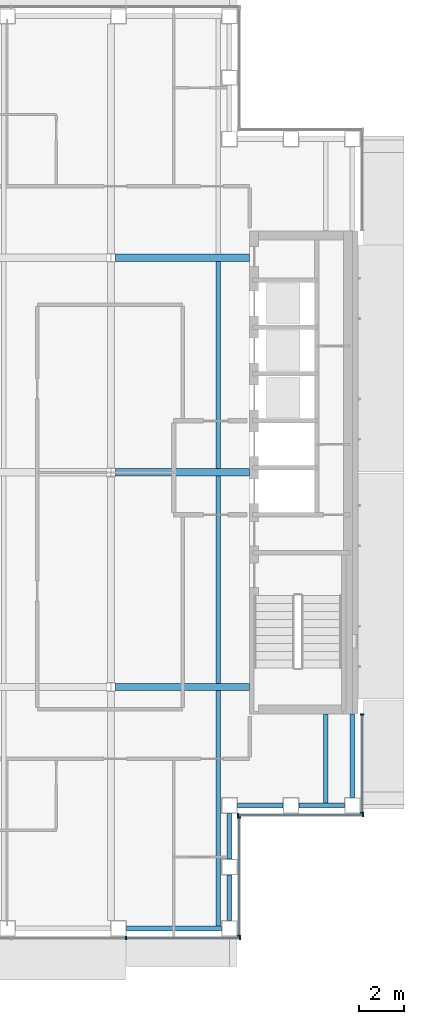
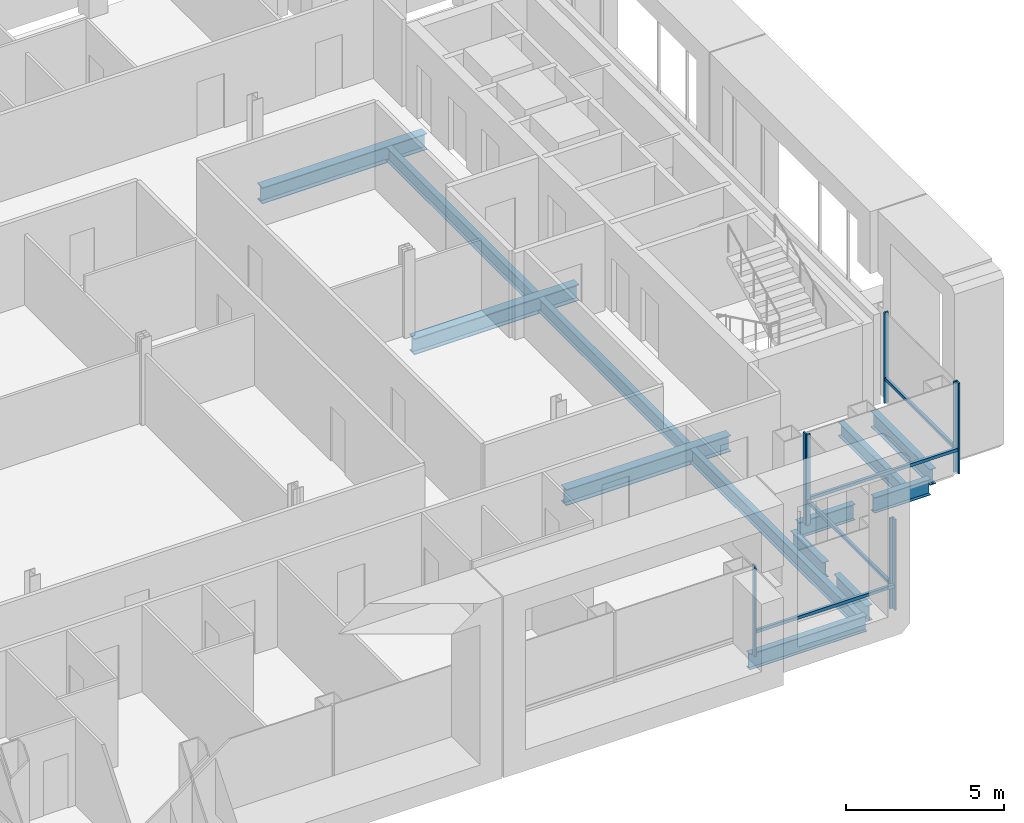
# One storey, part 5 of 19: 13 beams, 12 members, 4 elements without a shape of their own.
"""IFC4 building model written with IfcOpenShell, lengths in metres."""

from ifc_helpers import new_model, si_unit, direction, frame, origin, origin_2d, place, context, subcontext, project, spatial, rectangle, i_section, extrude, material, material_profile, profile_set, type_object, element, aggregate, save


model = new_model("IFC4")

# Units and contexts
model_context = context("Model", 3, precision=1e-05, world=origin(), true_north=direction((0.0, 1.0)))
body_context = subcontext(model_context, "Body", "Model", "MODEL_VIEW")
ifc_project = project(units=[si_unit("LENGTHUNIT", "METRE"), si_unit("AREAUNIT", "SQUARE_METRE"), si_unit("VOLUMEUNIT", "CUBIC_METRE"), si_unit("PLANEANGLEUNIT", "RADIAN"), si_unit("MASSUNIT", "GRAM", prefix="KILO")], contexts=[model_context])

# Site, building, storey
site_placement = place(None, origin())
site = spatial("IfcSite", under=ifc_project, at=site_placement, CompositionType="ELEMENT")
building_placement = place(site_placement, origin())
building = spatial("IfcBuilding", under=site, at=building_placement, Name="Cobrizo Arcos Hotel Tower", CompositionType="ELEMENT")
storey_placement = place(building_placement, frame((0.0, 0.0, 205.0)))
storey = spatial("IfcBuildingStorey", under=building, at=storey_placement, Name="L53", CompositionType="ELEMENT", Elevation=205.0)

# Curtain wall, members
ifc_material_1 = material(Name="Aluminium 6063-T6 anodised bronze", Category="aluminium")
curtain_wall_type = type_object("IfcCurtainWallType", Name="CW-A guest facade", PredefinedType="NOTDEFINED", material=ifc_material_1)
curtain_wall_1_placement = place(storey_placement, origin())
curtain_wall_1 = element("IfcCurtainWall", 1, at=curtain_wall_1_placement, inside=storey, type_object=curtain_wall_type, Name="CW-A L53 S face", PredefinedType="NOTDEFINED")
ifc_material_profile_1 = material_profile(ifc_material_1, rectangle(XDim=0.14990234375, YDim=0.06005859375, at=origin_2d()), Name="CW-A mullion 150x60")
ifc_profile_set_1 = profile_set([ifc_material_profile_1], Name="Aluminium 6063-T6 anodised bronze")
member_type_1 = type_object("IfcMemberType", Name="CW-A mullion 150x60", PredefinedType="MULLION", material=ifc_profile_set_1)
member_1_placement = place(storey_placement, frame((10.2666015625, -20.824951171875, 0.0), z_axis=(0.0, 0.0, 1.0), x_axis=(0.0, -1.0, 0.0)))
member_1 = element("IfcMember", 2, at=member_1_placement, type_object=member_type_1, Name="CW-A mullion 6", PredefinedType="MULLION", context=body_context, shape_type="SweptSolid", body=[
    extrude(rectangle(XDim=0.14990234375, YDim=0.06005859375, at=origin_2d()), origin(), (0.0, 0.0, 1.0), 3.5),
])
member_2_placement = place(storey_placement, frame((15.3701171875, -20.824951171875, 0.0), z_axis=(0.0, 0.0, 1.0), x_axis=(0.0, -1.0, 0.0)))
member_2 = element("IfcMember", 3, at=member_2_placement, type_object=member_type_1, Name="CW-A mullion 7", PredefinedType="MULLION", context=body_context, shape_type="SweptSolid", body=[
    extrude(rectangle(XDim=0.14990234375, YDim=0.06005859375, at=origin_2d()), origin(), (0.0, 0.0, 1.0), 3.5),
])

curtain_wall_2_placement = place(storey_placement, origin())
curtain_wall_2 = element("IfcCurtainWall", 4, at=curtain_wall_2_placement, inside=storey, type_object=curtain_wall_type, Name="CW-A L53 E face", PredefinedType="NOTDEFINED")
member_3_placement = place(storey_placement, frame((15.324951171875, -20.719970703125, 0.0), z_axis=(0.0, 0.0, 1.0), x_axis=(1.0, 0.0, 0.0)))
member_3 = element("IfcMember", 5, at=member_3_placement, type_object=member_type_1, Name="CW-A mullion 1", PredefinedType="MULLION", context=body_context, shape_type="SweptSolid", body=[
    extrude(rectangle(XDim=0.14990234375, YDim=0.06005859375, at=origin_2d()), origin(), (0.0, 0.0, 1.0), 3.5),
])
member_4_placement = place(storey_placement, frame((15.324951171875, -15.429931640625, 0.0), z_axis=(0.0, 0.0, 1.0), x_axis=(1.0, 0.0, 0.0)))
member_4 = element("IfcMember", 6, at=member_4_placement, type_object=member_type_1, Name="CW-A mullion 2", PredefinedType="MULLION", context=body_context, shape_type="SweptSolid", body=[
    extrude(rectangle(XDim=0.14990234375, YDim=0.06005859375, at=origin_2d()), origin(), (0.0, 0.0, 1.0), 3.5),
])

curtain_wall_3_placement = place(storey_placement, origin())
curtain_wall_3 = element("IfcCurtainWall", 7, at=curtain_wall_3_placement, inside=storey, type_object=curtain_wall_type, Name="CW-A L53 S face", PredefinedType="NOTDEFINED")
member_5_placement = place(storey_placement, frame((15.280029296875, -15.324951171875, 0.0), z_axis=(0.0, 0.0, 1.0), x_axis=(0.0, -1.0, 0.0)))
member_5 = element("IfcMember", 8, at=member_5_placement, type_object=member_type_1, Name="CW-A mullion 1", PredefinedType="MULLION", context=body_context, shape_type="SweptSolid", body=[
    extrude(rectangle(XDim=0.14990234375, YDim=0.06005859375, at=origin_2d()), origin(), (0.0, 0.0, 1.0), 3.5),
])
member_6_placement = place(storey_placement, frame((20.8701171875, -15.324951171875, 0.0), z_axis=(0.0, 0.0, 1.0), x_axis=(0.0, -1.0, 0.0)))
member_6 = element("IfcMember", 9, at=member_6_placement, type_object=member_type_1, Name="CW-A mullion 2", PredefinedType="MULLION", context=body_context, shape_type="SweptSolid", body=[
    extrude(rectangle(XDim=0.14990234375, YDim=0.06005859375, at=origin_2d()), origin(), (0.0, 0.0, 1.0), 3.5),
])

curtain_wall_4_placement = place(storey_placement, origin())
curtain_wall_4 = element("IfcCurtainWall", 10, at=curtain_wall_4_placement, inside=storey, type_object=curtain_wall_type, Name="CW-A L53 E face", PredefinedType="NOTDEFINED")
member_7_placement = place(storey_placement, frame((20.824951171875, -15.219970703125, 0.0), z_axis=(0.0, 0.0, 1.0), x_axis=(1.0, 0.0, 0.0)))
member_7 = element("IfcMember", 11, at=member_7_placement, type_object=member_type_1, Name="CW-A mullion 1", PredefinedType="MULLION", context=body_context, shape_type="SweptSolid", body=[
    extrude(rectangle(XDim=0.14990234375, YDim=0.06005859375, at=origin_2d()), origin(), (0.0, 0.0, 1.0), 3.5),
])
member_8_placement = place(storey_placement, frame((20.824951171875, -10.830078125, 0.0), z_axis=(0.0, 0.0, 1.0), x_axis=(1.0, 0.0, 0.0)))
member_8 = element("IfcMember", 12, at=member_8_placement, type_object=member_type_1, Name="CW-A mullion 2", PredefinedType="MULLION", context=body_context, shape_type="SweptSolid", body=[
    extrude(rectangle(XDim=0.14990234375, YDim=0.06005859375, at=origin_2d()), origin(), (0.0, 0.0, 1.0), 3.5),
])

# Member
ifc_material_profile_2 = material_profile(ifc_material_1, rectangle(XDim=0.10009765625, YDim=0.1201171875, at=origin_2d()), Name="CW-A transom 120x100")
ifc_profile_set_2 = profile_set([ifc_material_profile_2], Name="Aluminium 6063-T6 anodised bronze")
member_type_2 = type_object("IfcMemberType", Name="CW-A transom 120x100", PredefinedType="USERDEFINED", material=ifc_profile_set_2)
member_9_placement = place(storey_placement, frame((10.296630859375, -20.824951171875, 0.929931640625), z_axis=(1.0, 0.0, 0.0), x_axis=(0.0, 1.0, 0.0)))
member_9 = element("IfcMember", 13, at=member_9_placement, type_object=member_type_2, Name="CW-A transom 1797", ObjectType="TRANSOM", PredefinedType="USERDEFINED", context=body_context, shape_type="SweptSolid", body=[
    extrude(rectangle(XDim=0.10009765625, YDim=0.1201171875, at=origin_2d()), origin(), (0.0, 0.0, 1.0), 5.04345703125),
])

aggregate(curtain_wall_1, [member_1, member_2, member_9])

member_10_placement = place(storey_placement, frame((15.324951171875, -20.68994140625, 0.929931640625), z_axis=(0.0, 1.0, 0.0), x_axis=(-1.0, 0.0, 0.0)))
member_10 = element("IfcMember", 14, at=member_10_placement, type_object=member_type_2, Name="CW-A transom 1798", ObjectType="TRANSOM", PredefinedType="USERDEFINED", context=body_context, shape_type="SweptSolid", body=[
    extrude(rectangle(XDim=0.10009765625, YDim=0.1201171875, at=origin_2d()), origin(), (0.0, 0.0, 1.0), 5.22998046875),
])

aggregate(curtain_wall_2, [member_3, member_4, member_10])

member_11_placement = place(storey_placement, frame((15.31005859375, -15.324951171875, 0.929931640625), z_axis=(1.0, 0.0, 0.0), x_axis=(0.0, 1.0, 0.0)))
member_11 = element("IfcMember", 15, at=member_11_placement, type_object=member_type_2, Name="CW-A transom 1799", ObjectType="TRANSOM", PredefinedType="USERDEFINED", context=body_context, shape_type="SweptSolid", body=[
    extrude(rectangle(XDim=0.10009765625, YDim=0.1201171875, at=origin_2d()), origin(), (0.0, 0.0, 1.0), 5.530029296875),
])

aggregate(curtain_wall_3, [member_5, member_6, member_11])

member_12_placement = place(storey_placement, frame((20.824951171875, -15.18994140625, 0.929931640625), z_axis=(0.0, 1.0, 0.0), x_axis=(-1.0, 0.0, 0.0)))
member_12 = element("IfcMember", 16, at=member_12_placement, type_object=member_type_2, Name="CW-A transom 1800", ObjectType="TRANSOM", PredefinedType="USERDEFINED", context=body_context, shape_type="SweptSolid", body=[
    extrude(rectangle(XDim=0.10009765625, YDim=0.1201171875, at=origin_2d()), origin(), (0.0, 0.0, 1.0), 4.329833984375),
])

aggregate(curtain_wall_4, [member_7, member_8, member_12])

# Beams
ifc_material_2 = material(Name="Steel ASTM A992 Grade 50", Category="steel")
ifc_material_profile_3 = material_profile(ifc_material_2, i_section(OverallWidth=0.209228515625, OverallDepth=0.533447265625, WebThickness=0.01025390625, FlangeThickness=0.015625, at=origin_2d()), Name="W21X62")
ifc_profile_set_3 = profile_set([ifc_material_profile_3], Name="Steel ASTM A992 Grade 50")
beam_type_1 = type_object("IfcBeamType", Name="W21X62 joist", PredefinedType="JOIST", material=ifc_profile_set_3)
beam_1_placement = place(storey_placement, frame((14.39990234375, -20.31005859375, -0.416748046875), z_axis=(0.0, 1.0, 0.0), x_axis=(-1.0, 0.0, 0.0)))
element("IfcBeam", 17, at=beam_1_placement, inside=storey, type_object=beam_type_1, Name="Floor joist J1, L53, no. 015", PredefinedType="JOIST", context=body_context, shape_type="SweptSolid", body=[
    extrude(i_section(OverallWidth=0.209228515625, OverallDepth=0.533447265625, WebThickness=0.01025390625, FlangeThickness=0.015625, at=origin_2d()), origin(), (0.0, 0.0, 1.0), 10.546142578125),
])
for number, where, z_axis, x_axis, name in (
    (18, (14.39990234375, -9.43603515625, -0.416748046875), (0.0, 1.0, 0.0), (-1.0, 0.0, 0.0), "Floor joist J1, L53, no. 016"),
    (19, (14.39990234375, 0.163818359375, -0.416748046875), (0.0, 1.0, 0.0), (-1.0, 0.0, 0.0), "Floor joist J1, L53, no. 017"),
):
    element("IfcBeam", number, at=place(storey_placement, frame(where, z_axis=z_axis, x_axis=x_axis)), inside=storey, type_object=beam_type_1, Name=name, PredefinedType="JOIST", context=body_context, shape_type="SweptSolid", body=[
        extrude(i_section(OverallWidth=0.209228515625, OverallDepth=0.533447265625, WebThickness=0.01025390625, FlangeThickness=0.015625, at=origin_2d()), origin(), (0.0, 0.0, 1.0), 9.272216796875),
    ])
beam_2_placement = place(storey_placement, frame((19.199951171875, -14.81005859375, -0.416748046875), z_axis=(0.0, 1.0, 0.0), x_axis=(-1.0, 0.0, 0.0)))
element("IfcBeam", 20, at=beam_2_placement, inside=storey, type_object=beam_type_1, Name="Floor joist J1, L53, no. 019", PredefinedType="JOIST", context=body_context, shape_type="SweptSolid", body=[
    extrude(i_section(OverallWidth=0.209228515625, OverallDepth=0.533447265625, WebThickness=0.01025390625, FlangeThickness=0.015625, at=origin_2d()), origin(), (0.0, 0.0, 1.0), 4.0),
])
ifc_material_profile_4 = material_profile(ifc_material_2, i_section(OverallWidth=0.32763671875, OverallDepth=0.622314453125, WebThickness=0.015380859375, FlangeThickness=0.0244140625, at=origin_2d()), Name="W24X131")
ifc_profile_set_4 = profile_set([ifc_material_profile_4], Name="Steel ASTM A992 Grade 50")
beam_type_2 = type_object("IfcBeamType", Name="W24X131 girder", PredefinedType="BEAM", material=ifc_profile_set_4)
for number, where, z_axis, x_axis, name in (
    (21, (9.78662109375, -9.60009765625, -0.461181640625), (1.0, 0.0, 0.0), (0.0, 1.0, 0.0), "Floor girder G1, L53, no. 004"),
    (22, (9.78662109375, 0.0, -0.461181640625), (1.0, 0.0, 0.0), (0.0, 1.0, 0.0), "Floor girder G1, L53, no. 008"),
    (23, (9.78662109375, 9.60009765625, -0.461181640625), (1.0, 0.0, 0.0), (0.0, 1.0, 0.0), "Floor girder G1, L53, no. 012"),
):
    element("IfcBeam", number, at=place(storey_placement, frame(where, z_axis=z_axis, x_axis=x_axis)), inside=storey, type_object=beam_type_2, Name=name, PredefinedType="BEAM", context=body_context, shape_type="SweptSolid", body=[
        extrude(i_section(OverallWidth=0.32763671875, OverallDepth=0.622314453125, WebThickness=0.015380859375, FlangeThickness=0.0244140625, at=origin_2d()), origin(), (0.0, 0.0, 1.0), 6.00341796875),
    ])
ifc_material_profile_5 = material_profile(ifc_material_2, i_section(OverallWidth=0.228271484375, OverallDepth=0.607177734375, WebThickness=0.01123046875, FlangeThickness=0.017333984375, at=origin_2d()), Name="W24X76")
ifc_profile_set_5 = profile_set([ifc_material_profile_5], Name="Steel ASTM A992 Grade 50")
beam_type_3 = type_object("IfcBeamType", Name="W24X76 spandrel", PredefinedType="SPANDREL", material=ifc_profile_set_5)
beam_3_placement = place(storey_placement, frame((10.282958984375, -20.39990234375, -0.45361328125), z_axis=(1.0, 0.0, 0.0), x_axis=(0.0, 1.0, 0.0)))
element("IfcBeam", 24, at=beam_3_placement, inside=storey, type_object=beam_type_3, Name="Spandrel beam W24X76, L53, no. 006", PredefinedType="SPANDREL", context=body_context, shape_type="SweptSolid", body=[
    extrude(i_section(OverallWidth=0.228271484375, OverallDepth=0.607177734375, WebThickness=0.01123046875, FlangeThickness=0.017333984375, at=origin_2d()), origin(), (0.0, 0.0, 1.0), 4.26708984375),
])
for number, where, z_axis, x_axis, name in (
    (25, (14.89990234375, -20.050048828125, -0.45361328125), (0.0, 1.0, 0.0), (-1.0, 0.0, 0.0), "Spandrel beam W24X76, L53, no. 007"),
    (26, (14.89990234375, -17.300048828125, -0.45361328125), (0.0, 1.0, 0.0), (-1.0, 0.0, 0.0), "Spandrel beam W24X76, L53, no. 008"),
    (27, (15.25, -14.89990234375, -0.45361328125), (1.0, 0.0, 0.0), (0.0, 1.0, 0.0), "Spandrel beam W24X76, L53, no. 009"),
    (28, (18.0, -14.89990234375, -0.45361328125), (1.0, 0.0, 0.0), (0.0, 1.0, 0.0), "Spandrel beam W24X76, L53, no. 010"),
):
    element("IfcBeam", number, at=place(storey_placement, frame(where, z_axis=z_axis, x_axis=x_axis)), inside=storey, type_object=beam_type_3, Name=name, PredefinedType="SPANDREL", context=body_context, shape_type="SweptSolid", body=[
        extrude(i_section(OverallWidth=0.228271484375, OverallDepth=0.607177734375, WebThickness=0.01123046875, FlangeThickness=0.017333984375, at=origin_2d()), origin(), (0.0, 0.0, 1.0), 2.050048828125),
    ])
beam_4_placement = place(storey_placement, frame((20.39990234375, -14.550048828125, -0.45361328125), z_axis=(0.0, 1.0, 0.0), x_axis=(-1.0, 0.0, 0.0)))
element("IfcBeam", 29, at=beam_4_placement, inside=storey, type_object=beam_type_3, Name="Spandrel beam W24X76, L53, no. 011", PredefinedType="SPANDREL", context=body_context, shape_type="SweptSolid", body=[
    extrude(i_section(OverallWidth=0.228271484375, OverallDepth=0.607177734375, WebThickness=0.01123046875, FlangeThickness=0.017333984375, at=origin_2d()), origin(), (0.0, 0.0, 1.0), 3.739990234375),
])

save(model, "model.ifc")
